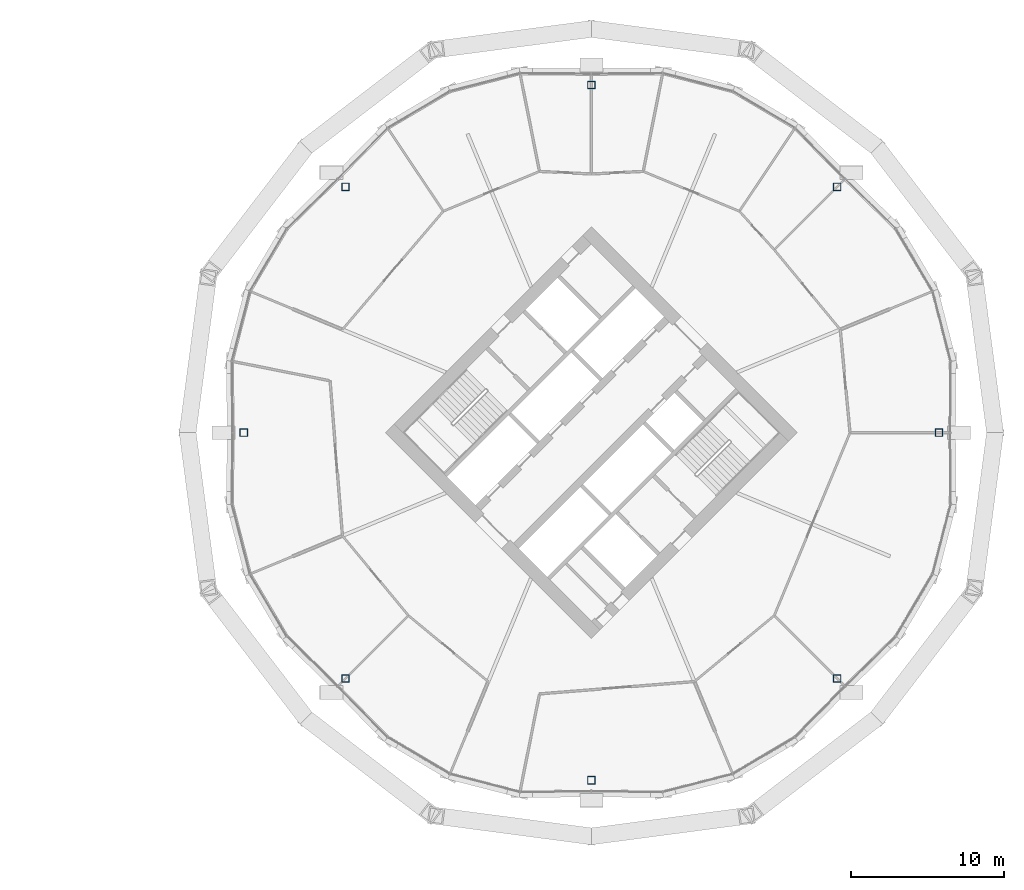
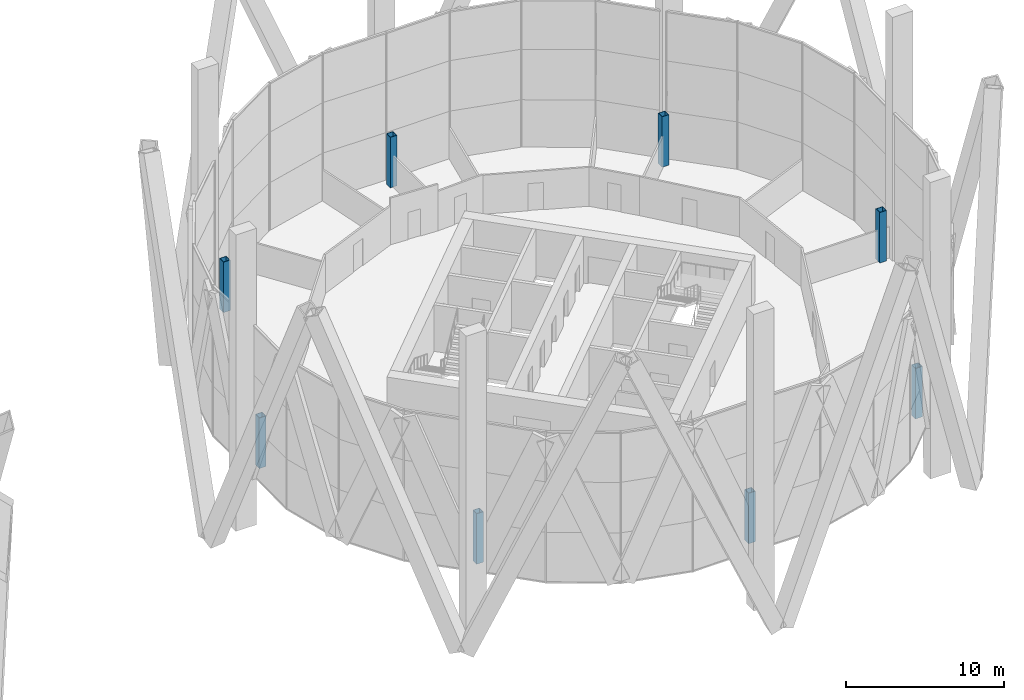
# One storey, part 2 of 26: 8 columns.
"""IFC4 building model written with IfcOpenShell, lengths in metres."""

import ifcopenshell
import ifcopenshell.guid

model = None  # the IFC model being written
_history = None  # IfcOwnerHistory: only IFC2X3 demands one
_inside = {}  # id of a spatial element -> (the spatial element, [elements in it])
_under = {}  # id of a project, library or spatial element -> (it, [spatial elements below it])
_declared = {}  # id of a project -> (the project, [libraries it declares])
_typed = {}  # id of a type object -> (the type object, [elements of that type])
_made_of = {}  # id of a material, layer set ... -> (it, [elements and type objects made of it])


def new_model(schema):
    """Start an empty IFC model of exactly this schema.

    Asked for "IFC4X3", IfcOpenShell would pick the latest addendum, in which some entities
    have other attributes; the version numbers below select the first issue.
    IFC2X3 requires an IfcOwnerHistory on every rooted entity: one is made here for all.
    """
    global model, _history
    if schema == "IFC4X3":
        model = ifcopenshell.file(schema_version=(4, 3, 0, 0))
    else:
        model = ifcopenshell.file(schema=schema)
    _inside.clear()
    _under.clear()
    _declared.clear()
    _typed.clear()
    _made_of.clear()
    _history = None
    if model.schema == "IFC2X3":
        org = make("IfcOrganization", Name="unknown")
        user = make(
            "IfcPersonAndOrganization",
            ThePerson=make("IfcPerson", FamilyName="unknown"),
            TheOrganization=org,
        )
        app = make(
            "IfcApplication",
            ApplicationDeveloper=org,
            Version="unknown",
            ApplicationFullName="unknown",
            ApplicationIdentifier="unknown",
        )
        _history = make(
            "IfcOwnerHistory",
            OwningUser=user,
            OwningApplication=app,
            ChangeAction="ADDED",
            CreationDate=0,
        )
    return model


def make(cls, **values):
    """One entity of the class cls with the attributes given. An attribute that is None is left unset."""
    return model.create_entity(
        cls, **{name: value for name, value in values.items() if value is not None}
    )


def rooted(cls, **values):
    """An entity with a GlobalId (a new one), such as an element, a storey or a relation."""
    return make(cls, GlobalId=ifcopenshell.guid.new(), OwnerHistory=_history, **values)


def si_unit(unit_type, name, prefix=None):
    """IfcSIUnit, for example si_unit("LENGTHUNIT", "METRE", prefix="MILLI")."""
    return make("IfcSIUnit", UnitType=unit_type, Prefix=prefix, Name=name)


def assignment(units):
    """IfcUnitAssignment: the units of a project."""
    return None if units is None else make("IfcUnitAssignment", Units=units)


def point(xyz):
    """IfcCartesianPoint."""
    return None if xyz is None else make("IfcCartesianPoint", Coordinates=xyz)


def direction(xyz):
    """IfcDirection."""
    return None if xyz is None else make("IfcDirection", DirectionRatios=xyz)


def frame(location, z_axis=None, x_axis=None):
    """IfcAxis2Placement3D, a coordinate frame: its origin and axes. An axis left out is left unset."""
    return make(
        "IfcAxis2Placement3D",
        Location=point(location),
        Axis=direction(z_axis),
        RefDirection=direction(x_axis),
    )


def frame_2d(location, x_axis=None):
    """IfcAxis2Placement2D, a coordinate frame in the plane: its origin and x axis."""
    return make(
        "IfcAxis2Placement2D", Location=point(location), RefDirection=direction(x_axis)
    )


def origin():
    """The frame at (0, 0, 0) with its axes left unset."""
    return frame((0.0, 0.0, 0.0))


def origin_2d():
    """The frame at (0, 0) in the plane with its x axis left unset."""
    return frame_2d((0.0, 0.0))


def place(relative_to, where):
    """IfcLocalPlacement: puts the frame where relative to a parent placement (None: the world)."""
    return make(
        "IfcLocalPlacement", PlacementRelTo=relative_to, RelativePlacement=where
    )


def context(
    kind, dimensions, precision=None, world=None, true_north=None, identifier=None
):
    """IfcGeometricRepresentationContext, for example the 3D "Model" context."""
    return make(
        "IfcGeometricRepresentationContext",
        ContextIdentifier=identifier,
        ContextType=kind,
        CoordinateSpaceDimension=dimensions,
        Precision=precision,
        WorldCoordinateSystem=world,
        TrueNorth=true_north,
    )


def subcontext(parent, identifier, kind, view, scale=None):
    """IfcGeometricRepresentationSubContext, for example "Body" below "Model"."""
    return make(
        "IfcGeometricRepresentationSubContext",
        ContextIdentifier=identifier,
        ContextType=kind,
        ParentContext=parent,
        TargetScale=scale,
        TargetView=view,
    )


def project(units=None, contexts=None):
    """IfcProject with its units and contexts."""
    return rooted(
        "IfcProject",
        Name="project",
        RepresentationContexts=contexts,
        UnitsInContext=assignment(units),
    )


def spatial(cls, under=None, at=None, **own):
    """A site, building, storey or space (cls), placed at a placement, below another one or the project."""
    s = rooted(cls, ObjectPlacement=at, **own)
    if under is not None:
        _under.setdefault(under.id(), (under, []))[1].append(s)
    return s


def profile(cls, at=None, kind="AREA", **sizes):
    """A parametric profile (cls). Its sizes go by their IFC names, for example OverallWidth=200.0."""
    return make(cls, ProfileType=kind, Position=at, **sizes)


def hollow_rectangle(**sizes):
    """IfcRectangleHollowProfileDef."""
    return profile("IfcRectangleHollowProfileDef", **sizes)


def extrude(swept, where, along, depth):
    """IfcExtrudedAreaSolid: the profile swept, set in the frame where, extruded along a direction by depth."""
    return make(
        "IfcExtrudedAreaSolid",
        SweptArea=swept,
        Position=where,
        ExtrudedDirection=direction(along),
        Depth=depth,
    )


def shape(context_of_items, identifier, shape_type, items):
    """IfcShapeRepresentation: the items that make up one representation, for example the "Body"."""
    return make(
        "IfcShapeRepresentation",
        ContextOfItems=context_of_items,
        RepresentationIdentifier=identifier,
        RepresentationType=shape_type,
        Items=items,
    )


def material(Name=None, Category=None):
    """IfcMaterial."""
    return make("IfcMaterial", Name=Name, Category=Category)


def material_profile(
    of_material, cross_section, Name=None, Category=None, Priority=None
):
    """IfcMaterialProfile: a cross section and its material."""
    return make(
        "IfcMaterialProfile",
        Name=Name,
        Material=of_material,
        Profile=cross_section,
        Priority=Priority,
        Category=Category,
    )


def profile_set(profiles, Name=None, composite=None):
    """IfcMaterialProfileSet."""
    return make(
        "IfcMaterialProfileSet",
        Name=Name,
        MaterialProfiles=profiles,
        CompositeProfile=composite,
    )


def made_of(thing, what):
    """Note that an element or type object is made of a material, layer set ...; save() writes the relation."""
    if what is not None:
        _made_of.setdefault(what.id(), (what, []))[1].append(thing)
    return thing


def type_object(cls, material=None, **own):
    """A type object (cls), such as IfcWallType, which elements share."""
    return made_of(rooted(cls, **own), material)


def element(
    cls,
    number,
    at=None,
    inside=None,
    cuts=None,
    type_object=None,
    material=None,
    context=None,
    identifier="Body",
    shape_type=None,
    held_by="IfcProductDefinitionShape",
    body=None,
    shapes=None,
    **own,
):
    """One element of the class cls, such as IfcWall. Its Tag is "e" and its number.

    at: its placement. inside: the storey or other place that contains it. cuts: it is an
    opening in that element (IfcRelVoidsElement). A single representation is given by context,
    identifier, shape_type and body (its items); several are given by shapes. held_by: the class
    of the entity that holds the representations. save() writes the other relations.
    """
    e = rooted(cls, Tag="e%d" % number, ObjectPlacement=at, **own)
    if body is not None:
        shapes = [shape(context, identifier, shape_type, body)]
    if shapes is not None:
        e.Representation = make(held_by, Representations=shapes)
    if inside is not None:
        _inside.setdefault(inside.id(), (inside, []))[1].append(e)
    if cuts is not None:
        rooted(
            "IfcRelVoidsElement", RelatingBuildingElement=cuts, RelatedOpeningElement=e
        )
    if type_object is not None:
        _typed.setdefault(type_object.id(), (type_object, []))[1].append(e)
    return made_of(e, material)


def aggregate(whole, parts):
    """IfcRelAggregates: a whole, such as a stair, and the parts it consists of."""
    return rooted("IfcRelAggregates", RelatingObject=whole, RelatedObjects=parts)


def save(model, path):
    """Write the relations noted so far, then the file.

    IfcRelAggregates (storeys below a building ...), IfcRelContainedInSpatialStructure (elements
    in a storey), IfcRelDefinesByType, IfcRelAssociatesMaterial and IfcRelDeclares: one each for
    every whole, place, type object, material and project.
    """
    for whole, parts in _under.values():
        aggregate(whole, parts)
    for where, things in _inside.values():
        rooted(
            "IfcRelContainedInSpatialStructure",
            RelatedElements=things,
            RelatingStructure=where,
        )
    for kind, things in _typed.values():
        rooted("IfcRelDefinesByType", RelatedObjects=things, RelatingType=kind)
    for what, things in _made_of.values():
        rooted("IfcRelAssociatesMaterial", RelatedObjects=things, RelatingMaterial=what)
    for by, libraries in _declared.values():
        rooted("IfcRelDeclares", RelatingContext=by, RelatedDefinitions=libraries)
    model.write(path)


model = new_model("IFC4")

# Units and contexts
model_context = context("Model", 3, precision=1e-05, world=origin(), true_north=direction((0.0, 1.0)))
body_context = subcontext(model_context, "Body", "Model", "MODEL_VIEW")
ifc_project = project(units=[si_unit("LENGTHUNIT", "METRE"), si_unit("AREAUNIT", "SQUARE_METRE"), si_unit("VOLUMEUNIT", "CUBIC_METRE"), si_unit("PLANEANGLEUNIT", "RADIAN"), si_unit("MASSUNIT", "GRAM", prefix="KILO")], contexts=[model_context])

# Site, building, storey
site_placement = place(None, origin())
site = spatial("IfcSite", under=ifc_project, at=site_placement, CompositionType="ELEMENT")
building_placement = place(site_placement, origin())
building = spatial("IfcBuilding", under=site, at=building_placement, Name="Ogive Gate Towers", CompositionType="ELEMENT")
storey_placement = place(building_placement, frame((0.0, 0.0, 76.199951171875)))
storey = spatial("IfcBuildingStorey", under=building, at=storey_placement, Name="L17", CompositionType="ELEMENT", Elevation=76.199951171875)

# Columns
ifc_material = material(Name="Steel SM460", Category="steel")
ifc_material_profile = material_profile(ifc_material, hollow_rectangle(XDim=0.5, YDim=0.5, WallThickness=0.030029296875, at=origin_2d()), Name="BX 500x500x30")
ifc_profile_set = profile_set([ifc_material_profile], Name="Steel SM460")
column_type = type_object("IfcColumnType", Name="Perimeter post BX 500x500x30", PredefinedType="COLUMN", material=ifc_profile_set)
for number, where, z_axis, x_axis, name in (
    (1, (58.669921875, 0.0, 0.0), (0.0, 0.0, 1.0), (1.0, 0.0, 0.0), "T2/L17/SCL001"),
    (2, (52.030029296875, 16.030029296875, 0.0), (0.0, 0.0, 1.0), (1.0, 0.0, 0.0), "T2/L17/SCL002"),
    (3, (36.0, 22.669921875, 0.0), (0.0, 0.0, 1.0), (1.0, 0.0, 0.0), "T2/L17/SCL003"),
    (4, (19.969970703125, 16.030029296875, 0.0), (0.0, 0.0, 1.0), (1.0, 0.0, 0.0), "T2/L17/SCL004"),
    (5, (13.330078125, 0.0, 0.0), (0.0, 0.0, 1.0), (1.0, 0.0, 0.0), "T2/L17/SCL005"),
    (6, (19.969970703125, -16.030029296875, 0.0), (0.0, 0.0, 1.0), (1.0, 0.0, 0.0), "T2/L17/SCL006"),
    (7, (36.0, -22.669921875, 0.0), (0.0, 0.0, 1.0), (1.0, 0.0, 0.0), "T2/L17/SCL007"),
    (8, (52.030029296875, -16.030029296875, 0.0), (0.0, 0.0, 1.0), (1.0, 0.0, 0.0), "T2/L17/SCL008"),
):
    element("IfcColumn", number, at=place(storey_placement, frame(where, z_axis=z_axis, x_axis=x_axis)), inside=storey, type_object=column_type, Name=name, PredefinedType="COLUMN", context=body_context, shape_type="SweptSolid", body=[
        extrude(hollow_rectangle(XDim=0.5, YDim=0.5, WallThickness=0.030029296875, at=origin_2d()), origin(), (0.0, 0.0, 1.0), 3.900146484375),
    ])

save(model, "model.ifc")
